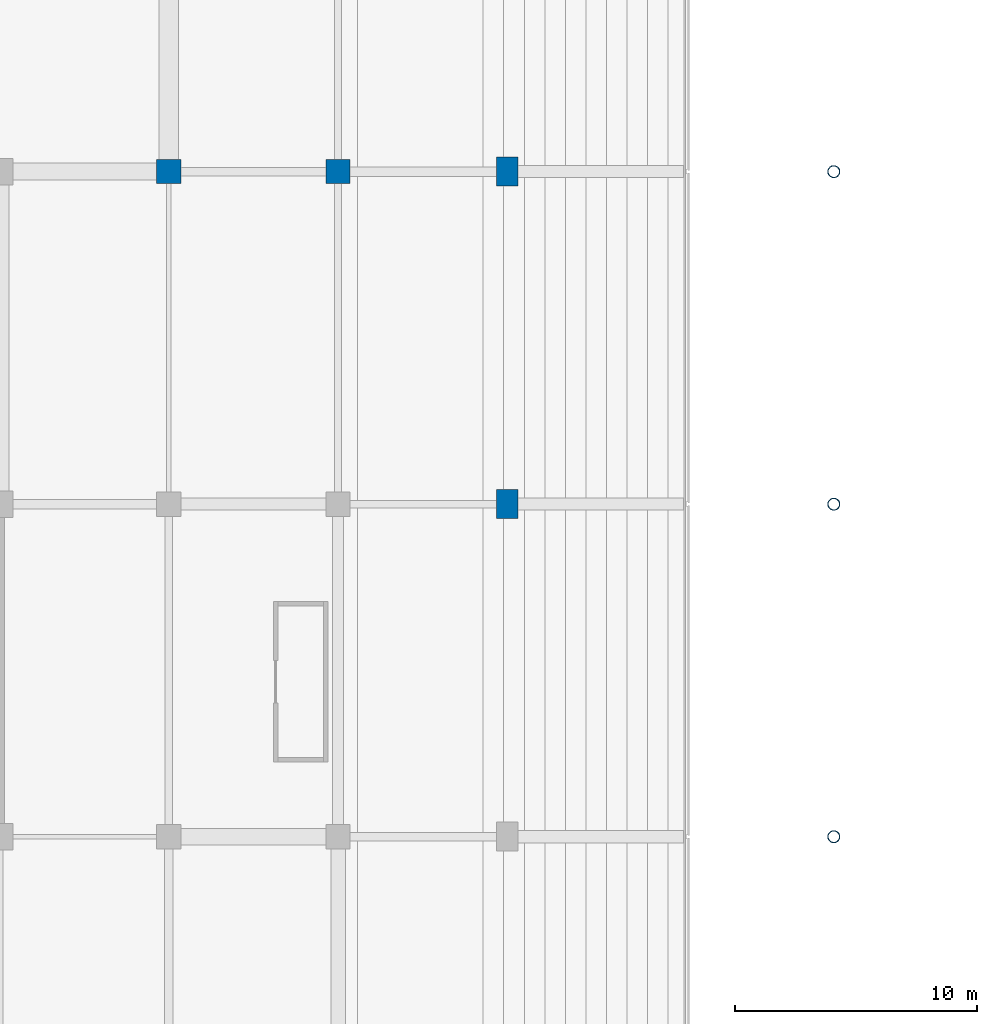
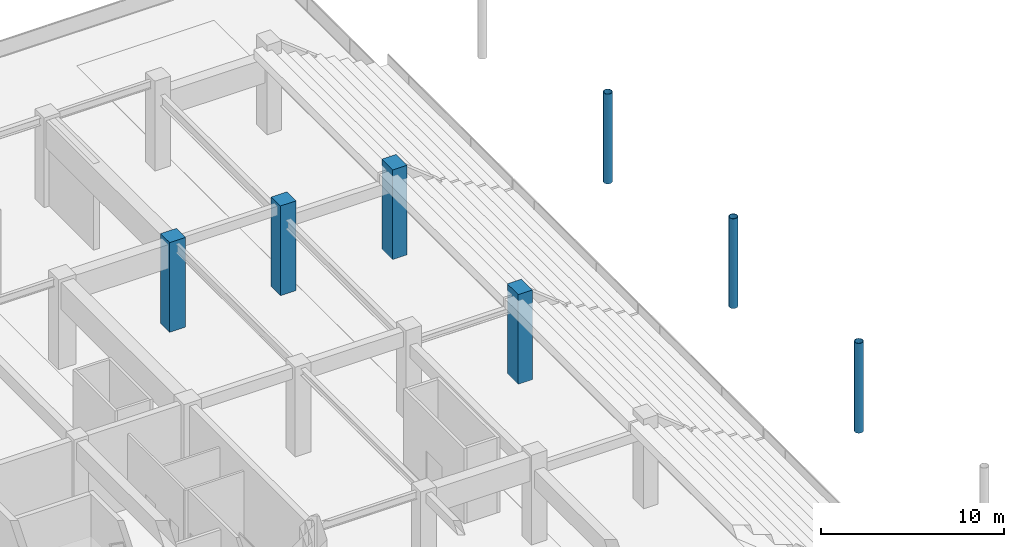
# One storey, part 8 of 73: 7 columns.
"""IFC4 building model written with IfcOpenShell, lengths in metres."""

from ifc_helpers import new_model, si_unit, direction, frame, origin, origin_2d, place, context, subcontext, project, spatial, rectangle, hollow_circle, extrude, material, material_profile, profile_set, type_object, element, save


model = new_model("IFC4")

# Units and contexts
model_context = context("Model", 3, precision=1e-05, world=origin(), true_north=direction((0.0, 1.0)))
body_context = subcontext(model_context, "Body", "Model", "MODEL_VIEW")
ifc_project = project(units=[si_unit("LENGTHUNIT", "METRE"), si_unit("AREAUNIT", "SQUARE_METRE"), si_unit("VOLUMEUNIT", "CUBIC_METRE"), si_unit("PLANEANGLEUNIT", "RADIAN"), si_unit("MASSUNIT", "GRAM", prefix="KILO")], contexts=[model_context])

# Site, building, storey
site_placement = place(None, origin())
site = spatial("IfcSite", under=ifc_project, at=site_placement, CompositionType="ELEMENT")
building_placement = place(site_placement, origin())
building = spatial("IfcBuilding", under=site, at=building_placement, Name="Linyun Crest Stadium", CompositionType="ELEMENT")
storey_placement = place(building_placement, origin())
storey = spatial("IfcBuildingStorey", under=building, at=storey_placement, Name="L01", CompositionType="ELEMENT", Elevation=0.0)

# Columns
ifc_material_1 = material(Name="Concrete C50", Category="concrete")
ifc_material_profile_1 = material_profile(ifc_material_1, rectangle(XDim=1.0, YDim=1.0, at=origin_2d()), Name="RC 1000x1000")
ifc_profile_set_1 = profile_set([ifc_material_profile_1], Name="Concrete C50")
column_type_1 = type_object("IfcColumnType", Name="C05", PredefinedType="COLUMN", material=ifc_profile_set_1)
for number, where, z_axis, x_axis, name in (
    (1, (-63.0, 29.625, 0.0), (0.0, 0.0, 1.0), (1.0, 0.0, 0.0), "Column C05 L01 232"),
    (2, (-56.0, 29.625, 0.0), (0.0, 0.0, 1.0), (1.0, 0.0, 0.0), "Column C05 L01 266"),
):
    element("IfcColumn", number, at=place(storey_placement, frame(where, z_axis=z_axis, x_axis=x_axis)), inside=storey, type_object=column_type_1, Name=name, PredefinedType="COLUMN", context=body_context, shape_type="SweptSolid", body=[
        extrude(rectangle(XDim=1.0, YDim=1.0, at=origin_2d()), origin(), (0.0, 0.0, 1.0), 5.998046875),
    ])
ifc_material_2 = material(Name="Concrete C50", Category="concrete")
ifc_material_profile_2 = material_profile(ifc_material_2, rectangle(XDim=0.89990234375, YDim=1.199951171875, at=origin_2d()), Name="RC 1200x900")
ifc_profile_set_2 = profile_set([ifc_material_profile_2], Name="Concrete C50")
column_type_2 = type_object("IfcColumnType", Name="C11", PredefinedType="COLUMN", material=ifc_profile_set_2)
for number, where, z_axis, x_axis, name in (
    (3, (-49.0, 15.875, 0.0), (0.0, 0.0, 1.0), (1.0, 0.0, 0.0), "Column C11 L01 284"),
    (4, (-49.0, 29.625, 0.0), (0.0, 0.0, 1.0), (1.0, 0.0, 0.0), "Column C11 L01 286"),
):
    element("IfcColumn", number, at=place(storey_placement, frame(where, z_axis=z_axis, x_axis=x_axis)), inside=storey, type_object=column_type_2, Name=name, PredefinedType="COLUMN", context=body_context, shape_type="SweptSolid", body=[
        extrude(rectangle(XDim=0.89990234375, YDim=1.199951171875, at=origin_2d()), origin(), (0.0, 0.0, 1.0), 6.0),
    ])
ifc_material_3 = material(Name="Steel Q355C", Category="steel")
ifc_material_profile_3 = material_profile(ifc_material_3, hollow_circle(Radius=0.25390625, WallThickness=0.02490234375, at=origin_2d()), Name="CHS 508x25")
ifc_profile_set_3 = profile_set([ifc_material_profile_3], Name="Steel Q355C")
column_type_3 = type_object("IfcColumnType", Name="SC05", PredefinedType="COLUMN", material=ifc_profile_set_3)
for number, where, z_axis, x_axis, name in (
    (5, (-35.5, 2.125, 0.0), (0.0, 0.0, 1.0), (1.0, 0.0, 0.0), "Arch colonnade column SC05 L01 10"),
    (6, (-35.5, 15.875, 0.0), (0.0, 0.0, 1.0), (1.0, 0.0, 0.0), "Arch colonnade column SC05 L01 12"),
    (7, (-35.5, 29.625, 0.0), (0.0, 0.0, 1.0), (1.0, 0.0, 0.0), "Arch colonnade column SC05 L01 14"),
):
    element("IfcColumn", number, at=place(storey_placement, frame(where, z_axis=z_axis, x_axis=x_axis)), inside=storey, type_object=column_type_3, Name=name, PredefinedType="COLUMN", context=body_context, shape_type="SweptSolid", body=[
        extrude(hollow_circle(Radius=0.25390625, WallThickness=0.02490234375, at=origin_2d()), origin(), (0.0, 0.0, 1.0), 6.0),
    ])

save(model, "model.ifc")
